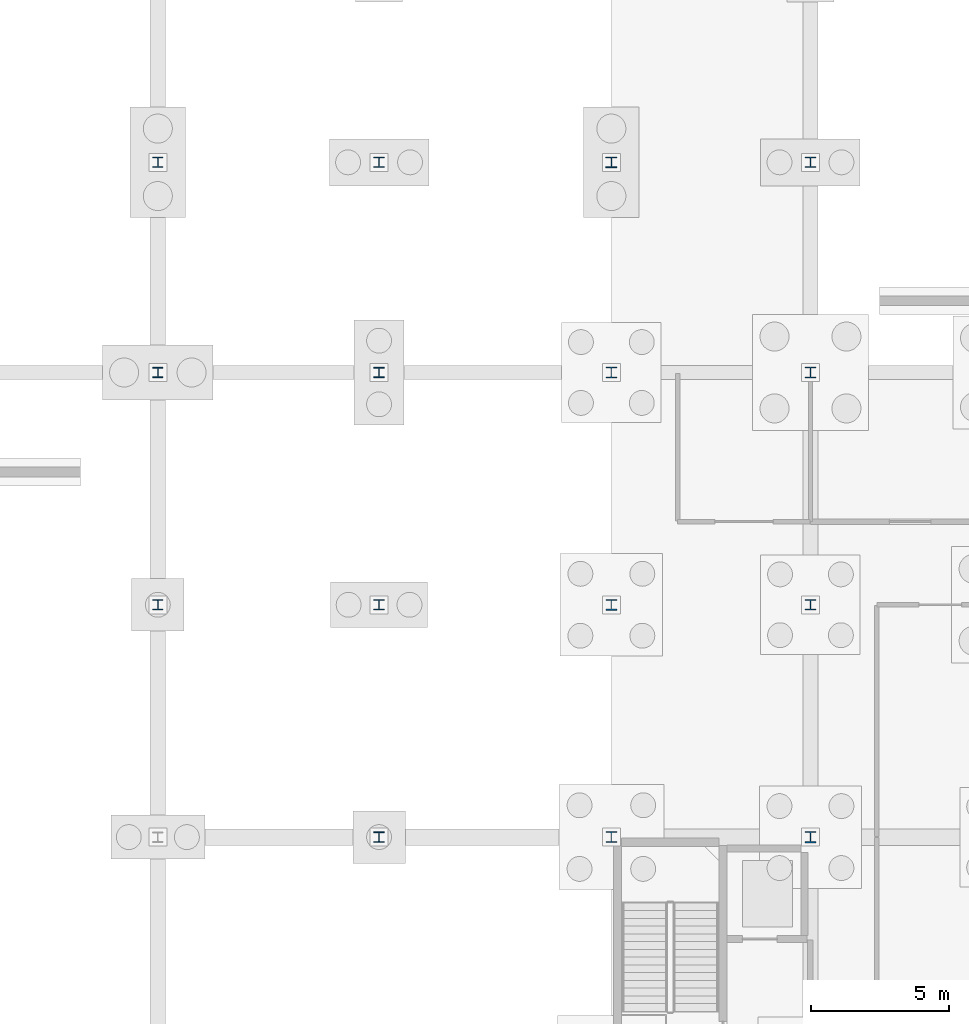
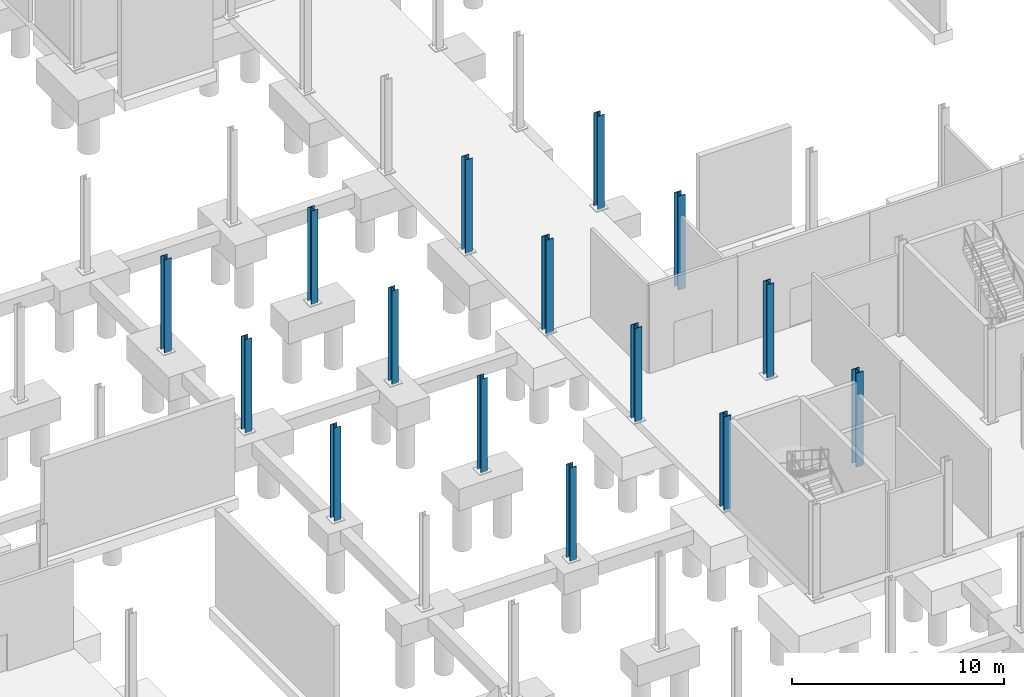
# One storey, part 21 of 61: 15 columns.
"""IFC4 building model written with IfcOpenShell, lengths in metres."""

from ifc_helpers import new_model, si_unit, direction, frame, origin, origin_2d, place, context, subcontext, project, spatial, i_section, extrude, material, material_profile, profile_set, type_object, element, save


model = new_model("IFC4")

# Units and contexts
model_context = context("Model", 3, precision=1e-05, world=origin(), true_north=direction((0.0, 1.0)))
body_context = subcontext(model_context, "Body", "Model", "MODEL_VIEW")
ifc_project = project(units=[si_unit("LENGTHUNIT", "METRE"), si_unit("AREAUNIT", "SQUARE_METRE"), si_unit("VOLUMEUNIT", "CUBIC_METRE"), si_unit("PLANEANGLEUNIT", "RADIAN"), si_unit("MASSUNIT", "GRAM", prefix="KILO")], contexts=[model_context])

# Site, building, storey
site_placement = place(None, origin())
site = spatial("IfcSite", under=ifc_project, at=site_placement, CompositionType="ELEMENT")
building_placement = place(site_placement, origin())
building = spatial("IfcBuilding", under=site, at=building_placement, Name="Calvrana Isthmian Art Gallery", CompositionType="ELEMENT")
storey_placement = place(building_placement, frame((0.0, 0.0, -5.39990234375)))
storey = spatial("IfcBuildingStorey", under=building, at=storey_placement, Name="B1", CompositionType="ELEMENT", Elevation=-5.39990234375)

# Columns
ifc_material = material(Name="Steel ASTM A992 Gr 50", Category="steel")
ifc_material_profile_1 = material_profile(ifc_material, i_section(OverallWidth=0.37109375, OverallDepth=0.363037109375, WebThickness=0.01318359375, FlangeThickness=0.021728515625, FilletRadius=0.02490234375, at=origin_2d()), Name="W14X109")
ifc_profile_set_1 = profile_set([ifc_material_profile_1], Name="Steel ASTM A992 Gr 50")
column_type_1 = type_object("IfcColumnType", Name="COL-STL-W14X109", PredefinedType="COLUMN", material=ifc_profile_set_1)
for number, where, z_axis, x_axis, name in (
    (1, (96.39990234375, 38.39990234375, 0.0), (0.0, 0.0, 1.0), (1.0, 0.0, 0.0), "Column 13/F B1"),
    (2, (104.39990234375, 46.800048828125, 0.0), (0.0, 0.0, 1.0), (1.0, 0.0, 0.0), "Column 14/G B1"),
):
    element("IfcColumn", number, at=place(storey_placement, frame(where, z_axis=z_axis, x_axis=x_axis)), inside=storey, type_object=column_type_1, Name=name, PredefinedType="COLUMN", context=body_context, shape_type="SweptSolid", body=[
        extrude(i_section(OverallWidth=0.37109375, OverallDepth=0.363037109375, WebThickness=0.01318359375, FlangeThickness=0.021728515625, FilletRadius=0.02490234375, at=origin_2d()), origin(), (0.0, 0.0, 1.0), 5.39990234375),
    ])
ifc_material_profile_2 = material_profile(ifc_material, i_section(OverallWidth=0.373046875, OverallDepth=0.367919921875, WebThickness=0.014892578125, FlangeThickness=0.02392578125, FilletRadius=0.02490234375, at=origin_2d()), Name="W14X120")
ifc_profile_set_2 = profile_set([ifc_material_profile_2], Name="Steel ASTM A992 Gr 50")
column_type_2 = type_object("IfcColumnType", Name="COL-STL-W14X120", PredefinedType="COLUMN", material=ifc_profile_set_2)
for number, where, z_axis, x_axis, name in (
    (3, (96.39990234375, 46.800048828125, 0.0), (0.0, 0.0, 1.0), (1.0, 0.0, 0.0), "Column 13/G B1"),
    (4, (104.39990234375, 54.39990234375, 0.0), (0.0, 0.0, 1.0), (1.0, 0.0, 0.0), "Column 14/H B1"),
):
    element("IfcColumn", number, at=place(storey_placement, frame(where, z_axis=z_axis, x_axis=x_axis)), inside=storey, type_object=column_type_2, Name=name, PredefinedType="COLUMN", context=body_context, shape_type="SweptSolid", body=[
        extrude(i_section(OverallWidth=0.373046875, OverallDepth=0.367919921875, WebThickness=0.014892578125, FlangeThickness=0.02392578125, FilletRadius=0.02490234375, at=origin_2d()), origin(), (0.0, 0.0, 1.0), 5.39990234375),
    ])
ifc_material_profile_3 = material_profile(ifc_material, i_section(OverallWidth=0.373046875, OverallDepth=0.373046875, WebThickness=0.016357421875, FlangeThickness=0.026123046875, FilletRadius=0.02490234375, at=origin_2d()), Name="W14X132")
ifc_profile_set_3 = profile_set([ifc_material_profile_3], Name="Steel ASTM A992 Gr 50")
column_type_3 = type_object("IfcColumnType", Name="COL-STL-W14X132", PredefinedType="COLUMN", material=ifc_profile_set_3)
for number, where, z_axis, x_axis, name in (
    (5, (96.39990234375, 54.39990234375, 0.0), (0.0, 0.0, 1.0), (1.0, 0.0, 0.0), "Column 13/H B1"),
    (6, (104.39990234375, 30.0, 0.0), (0.0, 0.0, 1.0), (1.0, 0.0, 0.0), "Column 14/E B1"),
    (7, (120.0, 54.39990234375, 0.0), (0.0, 0.0, 1.0), (1.0, 0.0, 0.0), "Column 16/H B1"),
):
    element("IfcColumn", number, at=place(storey_placement, frame(where, z_axis=z_axis, x_axis=x_axis)), inside=storey, type_object=column_type_3, Name=name, PredefinedType="COLUMN", context=body_context, shape_type="SweptSolid", body=[
        extrude(i_section(OverallWidth=0.373046875, OverallDepth=0.373046875, WebThickness=0.016357421875, FlangeThickness=0.026123046875, FilletRadius=0.02490234375, at=origin_2d()), origin(), (0.0, 0.0, 1.0), 5.39990234375),
    ])
ifc_material_profile_4 = material_profile(ifc_material, i_section(OverallWidth=0.39404296875, OverallDepth=0.3759765625, WebThickness=0.017333984375, FlangeThickness=0.027587890625, FilletRadius=0.02490234375, at=origin_2d()), Name="W14X145")
ifc_profile_set_4 = profile_set([ifc_material_profile_4], Name="Steel ASTM A992 Gr 50")
column_type_4 = type_object("IfcColumnType", Name="COL-STL-W14X145", PredefinedType="COLUMN", material=ifc_profile_set_4)
column_1_placement = place(storey_placement, frame((112.800048828125, 54.39990234375, 0.0), z_axis=(0.0, 0.0, 1.0), x_axis=(1.0, 0.0, 0.0)))
element("IfcColumn", 8, at=column_1_placement, inside=storey, type_object=column_type_4, Name="Column 15/H B1", PredefinedType="COLUMN", context=body_context, shape_type="SweptSolid", body=[
    extrude(i_section(OverallWidth=0.39404296875, OverallDepth=0.3759765625, WebThickness=0.017333984375, FlangeThickness=0.027587890625, FilletRadius=0.02490234375, at=origin_2d()), origin(), (0.0, 0.0, 1.0), 5.39990234375),
])
ifc_material_profile_5 = material_profile(ifc_material, i_section(OverallWidth=0.39892578125, OverallDepth=0.385986328125, WebThickness=0.02099609375, FlangeThickness=0.033203125, FilletRadius=0.02490234375, at=origin_2d()), Name="W14X176")
ifc_profile_set_5 = profile_set([ifc_material_profile_5], Name="Steel ASTM A992 Gr 50")
column_type_5 = type_object("IfcColumnType", Name="COL-STL-W14X176", PredefinedType="COLUMN", material=ifc_profile_set_5)
column_2_placement = place(storey_placement, frame((120.0, 38.39990234375, 0.0), z_axis=(0.0, 0.0, 1.0), x_axis=(1.0, 0.0, 0.0)))
element("IfcColumn", 9, at=column_2_placement, inside=storey, type_object=column_type_5, Name="Column 16/F B1", PredefinedType="COLUMN", context=body_context, shape_type="SweptSolid", body=[
    extrude(i_section(OverallWidth=0.39892578125, OverallDepth=0.385986328125, WebThickness=0.02099609375, FlangeThickness=0.033203125, FilletRadius=0.02490234375, at=origin_2d()), origin(), (0.0, 0.0, 1.0), 5.39990234375),
])
ifc_material_profile_6 = material_profile(ifc_material, i_section(OverallWidth=0.39892578125, OverallDepth=0.39404296875, WebThickness=0.022705078125, FlangeThickness=0.03662109375, FilletRadius=0.02490234375, at=origin_2d()), Name="W14X193")
ifc_profile_set_6 = profile_set([ifc_material_profile_6], Name="Steel ASTM A992 Gr 50")
column_type_6 = type_object("IfcColumnType", Name="COL-STL-W14X193", PredefinedType="COLUMN", material=ifc_profile_set_6)
for number, where, z_axis, x_axis, name in (
    (10, (112.800048828125, 30.0, 0.0), (0.0, 0.0, 1.0), (1.0, 0.0, 0.0), "Column 15/E B1"),
    (11, (120.0, 46.800048828125, 0.0), (0.0, 0.0, 1.0), (1.0, 0.0, 0.0), "Column 16/G B1"),
):
    element("IfcColumn", number, at=place(storey_placement, frame(where, z_axis=z_axis, x_axis=x_axis)), inside=storey, type_object=column_type_6, Name=name, PredefinedType="COLUMN", context=body_context, shape_type="SweptSolid", body=[
        extrude(i_section(OverallWidth=0.39892578125, OverallDepth=0.39404296875, WebThickness=0.022705078125, FlangeThickness=0.03662109375, FilletRadius=0.02490234375, at=origin_2d()), origin(), (0.0, 0.0, 1.0), 5.39990234375),
    ])
ifc_material_profile_7 = material_profile(ifc_material, i_section(OverallWidth=0.40087890625, OverallDepth=0.39892578125, WebThickness=0.02490234375, FlangeThickness=0.03955078125, FilletRadius=0.02490234375, at=origin_2d()), Name="W14X211")
ifc_profile_set_7 = profile_set([ifc_material_profile_7], Name="Steel ASTM A992 Gr 50")
column_type_7 = type_object("IfcColumnType", Name="COL-STL-W14X211", PredefinedType="COLUMN", material=ifc_profile_set_7)
column_3_placement = place(storey_placement, frame((112.800048828125, 38.39990234375, 0.0), z_axis=(0.0, 0.0, 1.0), x_axis=(1.0, 0.0, 0.0)))
element("IfcColumn", 12, at=column_3_placement, inside=storey, type_object=column_type_7, Name="Column 15/F B1", PredefinedType="COLUMN", context=body_context, shape_type="SweptSolid", body=[
    extrude(i_section(OverallWidth=0.40087890625, OverallDepth=0.39892578125, WebThickness=0.02490234375, FlangeThickness=0.03955078125, FilletRadius=0.02490234375, at=origin_2d()), origin(), (0.0, 0.0, 1.0), 5.39990234375),
])
ifc_material_profile_8 = material_profile(ifc_material, i_section(OverallWidth=0.404052734375, OverallDepth=0.406005859375, WebThickness=0.027099609375, FlangeThickness=0.043701171875, FilletRadius=0.02490234375, at=origin_2d()), Name="W14X233")
ifc_profile_set_8 = profile_set([ifc_material_profile_8], Name="Steel ASTM A992 Gr 50")
column_type_8 = type_object("IfcColumnType", Name="COL-STL-W14X233", PredefinedType="COLUMN", material=ifc_profile_set_8)
column_4_placement = place(storey_placement, frame((112.800048828125, 46.800048828125, 0.0), z_axis=(0.0, 0.0, 1.0), x_axis=(1.0, 0.0, 0.0)))
element("IfcColumn", 13, at=column_4_placement, inside=storey, type_object=column_type_8, Name="Column 15/G B1", PredefinedType="COLUMN", context=body_context, shape_type="SweptSolid", body=[
    extrude(i_section(OverallWidth=0.404052734375, OverallDepth=0.406005859375, WebThickness=0.027099609375, FlangeThickness=0.043701171875, FilletRadius=0.02490234375, at=origin_2d()), origin(), (0.0, 0.0, 1.0), 5.39990234375),
])
ifc_material_profile_9 = material_profile(ifc_material, i_section(OverallWidth=0.406005859375, OverallDepth=0.4169921875, WebThickness=0.02978515625, FlangeThickness=0.048095703125, FilletRadius=0.02490234375, at=origin_2d()), Name="W14X257")
ifc_profile_set_9 = profile_set([ifc_material_profile_9], Name="Steel ASTM A992 Gr 50")
column_type_9 = type_object("IfcColumnType", Name="COL-STL-W14X257", PredefinedType="COLUMN", material=ifc_profile_set_9)
column_5_placement = place(storey_placement, frame((120.0, 30.0, 0.0), z_axis=(0.0, 0.0, 1.0), x_axis=(1.0, 0.0, 0.0)))
element("IfcColumn", 14, at=column_5_placement, inside=storey, type_object=column_type_9, Name="Column 16/E B1", PredefinedType="COLUMN", context=body_context, shape_type="SweptSolid", body=[
    extrude(i_section(OverallWidth=0.406005859375, OverallDepth=0.4169921875, WebThickness=0.02978515625, FlangeThickness=0.048095703125, FilletRadius=0.02490234375, at=origin_2d()), origin(), (0.0, 0.0, 1.0), 5.39990234375),
])
ifc_material_profile_10 = material_profile(ifc_material, i_section(OverallWidth=0.367919921875, OverallDepth=0.35595703125, WebThickness=0.01123046875, FlangeThickness=0.01806640625, FilletRadius=0.02490234375, at=origin_2d()), Name="W14X90")
ifc_profile_set_10 = profile_set([ifc_material_profile_10], Name="Steel ASTM A992 Gr 50")
column_type_10 = type_object("IfcColumnType", Name="COL-STL-W14X90", PredefinedType="COLUMN", material=ifc_profile_set_10)
column_6_placement = place(storey_placement, frame((104.39990234375, 38.39990234375, 0.0), z_axis=(0.0, 0.0, 1.0), x_axis=(1.0, 0.0, 0.0)))
element("IfcColumn", 15, at=column_6_placement, inside=storey, type_object=column_type_10, Name="Column 14/F B1", PredefinedType="COLUMN", context=body_context, shape_type="SweptSolid", body=[
    extrude(i_section(OverallWidth=0.367919921875, OverallDepth=0.35595703125, WebThickness=0.01123046875, FlangeThickness=0.01806640625, FilletRadius=0.02490234375, at=origin_2d()), origin(), (0.0, 0.0, 1.0), 5.39990234375),
])

save(model, "model.ifc")
